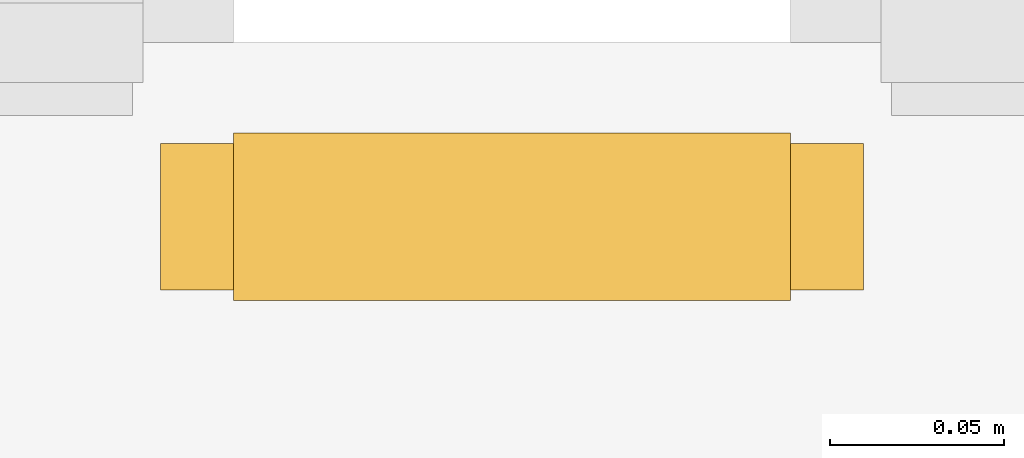
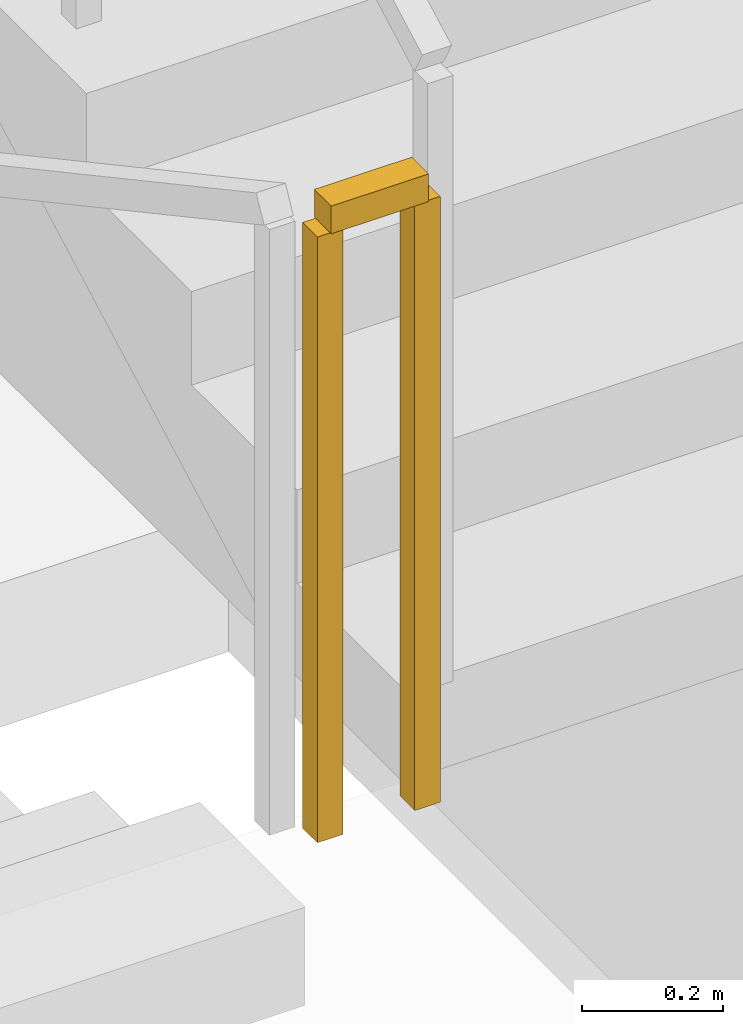
# One storey, part 16 of 20: 1 railing.
"""IFC4 building model written with IfcOpenShell, lengths in metres."""

from ifc_helpers import new_model, si_unit, direction, frame, origin, origin_2d, place, context, subcontext, project, spatial, rectangle, extrude, material, type_object, element, save


model = new_model("IFC4")

# Units and contexts
model_context = context("Model", 3, precision=1e-05, world=origin(), true_north=direction((0.0, 1.0)))
body_context = subcontext(model_context, "Body", "Model", "MODEL_VIEW")
ifc_project = project(units=[si_unit("LENGTHUNIT", "METRE"), si_unit("AREAUNIT", "SQUARE_METRE"), si_unit("VOLUMEUNIT", "CUBIC_METRE"), si_unit("PLANEANGLEUNIT", "RADIAN"), si_unit("MASSUNIT", "GRAM", prefix="KILO")], contexts=[model_context])

# Site, building, storey
site_placement = place(None, origin())
site = spatial("IfcSite", under=ifc_project, at=site_placement, CompositionType="ELEMENT")
building_placement = place(site_placement, origin())
building = spatial("IfcBuilding", under=site, at=building_placement, Name="Zulmaris Gate Convention Tower", CompositionType="ELEMENT")
storey_placement = place(building_placement, frame((0.0, 0.0, 75.0400390625)))
storey = spatial("IfcBuildingStorey", under=building, at=storey_placement, Name="L18", CompositionType="ELEMENT", Elevation=75.0400390625)

# Railing
ifc_material = material(Name="Painted Galvanised Steel", Category="steel")
railing_type = type_object("IfcRailingType", Name="RL-STG-1150", PredefinedType="GUARDRAIL", material=ifc_material)
railing_placement = place(storey_placement, frame((-13.219970703125, -5.050048828125, 1.784912109375)))
element("IfcRailing", 1, at=railing_placement, inside=storey, type_object=railing_type, Name="L18 ST-1 stair guard 2", PredefinedType="GUARDRAIL", context=body_context, shape_type="SweptSolid", body=[
    extrude(rectangle(XDim=0.048095703125, YDim=0.048095703125, at=origin_2d()), frame((0.0, 0.0, 1.076171875), z_axis=(1.0, 0.0, 0.0), x_axis=(0.0, 1.0, 0.0)), (0.0, 0.0, 1.0), 0.159912109375),
    extrude(rectangle(XDim=0.0419921875, YDim=0.0419921875, at=origin_2d()), origin(), (0.0, 0.0, 1.0), 1.052001953125),
    extrude(rectangle(XDim=0.0419921875, YDim=0.0419921875, at=origin_2d()), frame((0.159912109375, 0.0, 0.0)), (0.0, 0.0, 1.0), 1.052001953125),
])

save(model, "model.ifc")
